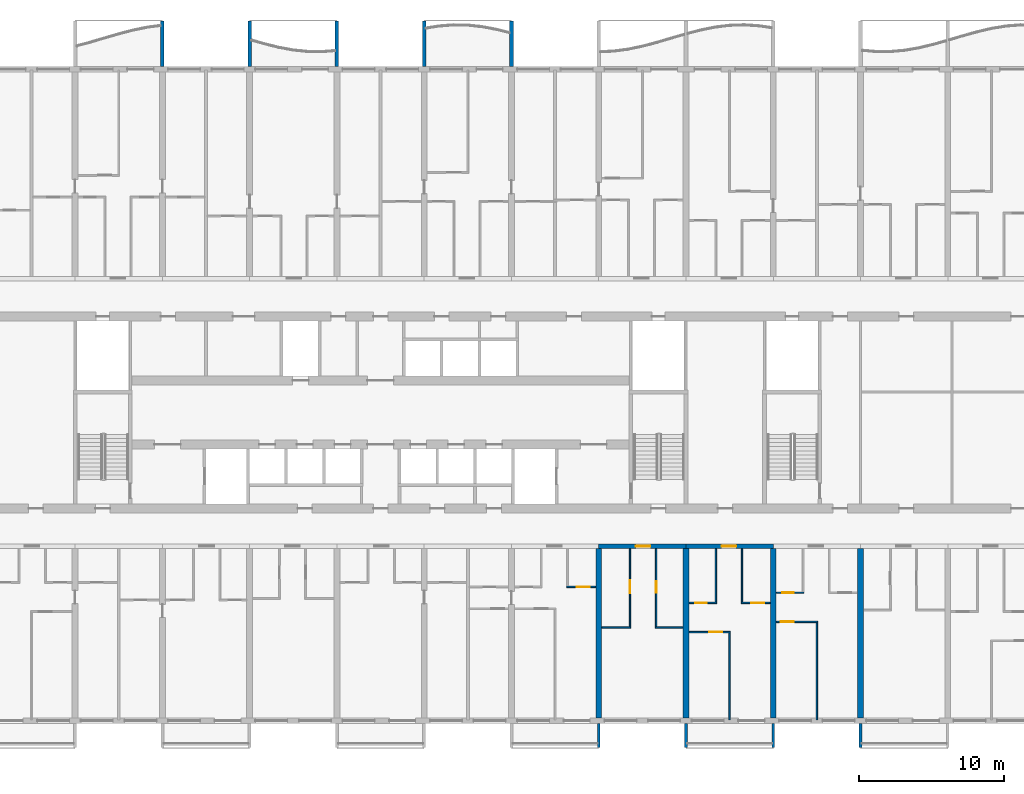
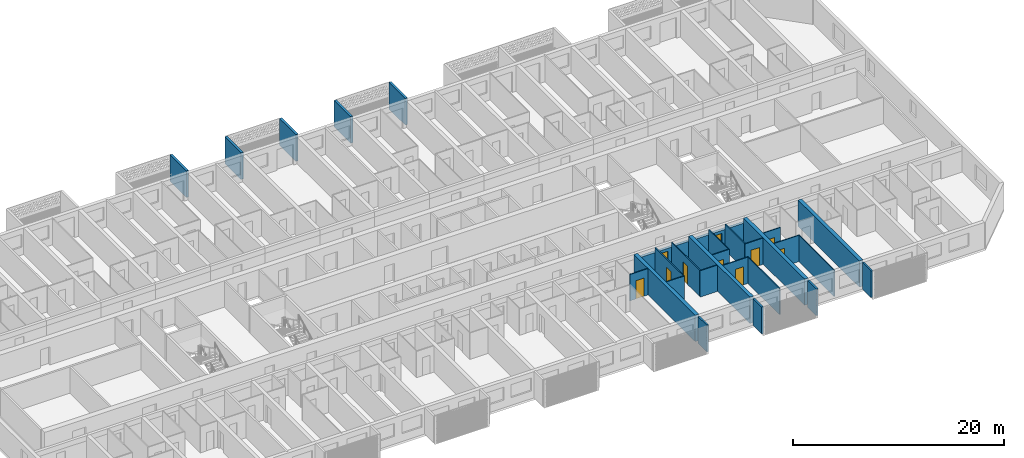
# One storey, part 14 of 38: 29 walls, 10 doors, 10 openings.
"""IFC4 building model written with IfcOpenShell, lengths in metres."""

from ifc_helpers import new_model, si_unit, direction, frame, frame_2d, origin, place, context, subcontext, project, spatial, polyline, rectangle, outline, extrude, source, transform, mapped, material, layer, layer_set, type_object, element, fill, save


model = new_model("IFC4")

# Units and contexts
model_context = context("Model", 3, precision=1e-05, world=origin(), true_north=direction((0.0, 1.0)))
body_context = subcontext(model_context, "Body", "Model", "MODEL_VIEW")
ifc_project = project(units=[si_unit("LENGTHUNIT", "METRE"), si_unit("AREAUNIT", "SQUARE_METRE"), si_unit("VOLUMEUNIT", "CUBIC_METRE"), si_unit("PLANEANGLEUNIT", "RADIAN"), si_unit("MASSUNIT", "GRAM", prefix="KILO")], contexts=[model_context])

# Site, building, storey
site_placement = place(None, origin())
site = spatial("IfcSite", under=ifc_project, at=site_placement, CompositionType="ELEMENT")
building_placement = place(site_placement, origin())
building = spatial("IfcBuilding", under=site, at=building_placement, Name="Poui Terraces", CompositionType="ELEMENT")
storey_placement = place(building_placement, frame((0.0, 0.0, 46.5)))
storey = spatial("IfcBuildingStorey", under=building, at=storey_placement, Name="L12", CompositionType="ELEMENT", Elevation=46.5)

# Wall, opening, door
ifc_material_1 = material(Name="Concrete 80 MPa", Category="concrete")
ifc_layer_1 = layer(ifc_material_1, 0.300048828125)
ifc_layer_set_1 = layer_set([ifc_layer_1], Name="Concrete 80 MPa")
wall_type_1 = type_object("IfcWallType", Name="CORRIDOR WALL 300 80MPa", PredefinedType="SHEAR", material=ifc_layer_set_1)
wall_1_placement = place(storey_placement, frame((66.0, 12.0, 0.0), z_axis=(0.0, 0.0, 1.0), x_axis=(1.0, 0.0, 0.0)))
wall_1 = element("IfcWall", 1, at=wall_1_placement, inside=storey, type_object=wall_type_1, Name="CORRIDOR WALL LINE B BAY 12", PredefinedType="SHEAR", context=body_context, shape_type="SweptSolid", body=[
    extrude(rectangle(XDim=6.0, YDim=0.300048828125, at=frame_2d((3.0, 0.0))), origin(), (0.0, 0.0, 1.0), 2.449951171875),
])
opening_1_placement = place(wall_1_placement, frame((2.550048828125, 0.0, 0.0)))
opening_1 = element("IfcOpeningElement", 2, at=opening_1_placement, cuts=wall_1, Name="Opening FD30S", PredefinedType="OPENING", context=body_context, shape_type="SweptSolid", body=[
    extrude(rectangle(XDim=1.0, YDim=2.10009765625, at=frame_2d((0.5, 1.050048828125))), frame((0.0, 0.16015625, 0.0), z_axis=(0.0, -1.0, 0.0), x_axis=(1.0, 0.0, 0.0)), (0.0, 0.0, 1.0), 0.320068359375),
])
ifc_material_2 = material(Name="Steel fire door", Category="steel")
door_type_1 = type_object("IfcDoorType", Name="FLAT ENTRANCE DOOR 1000 X 2100", OperationType="NOTDEFINED", PredefinedType="DOOR", material=ifc_material_2)
door_1_placement = place(opening_1_placement, frame((1.0, 0.0, 0.0), z_axis=(0.0, 0.0, 1.0), x_axis=(-1.0, 0.0, 0.0)))
door_1 = element("IfcDoor", 3, at=door_1_placement, inside=storey, type_object=door_type_1, Name="FLAT ENTRANCE DOOR 130", OperationType="SINGLE_SWING_LEFT", OverallHeight=2.10009765625, OverallWidth=1.0, PredefinedType="DOOR", context=body_context, shape_type="SweptSolid", body=[
    extrude(rectangle(XDim=1.0, YDim=2.10009765625, at=frame_2d((0.5, 1.050048828125))), frame((0.0, 0.02490234375, 0.0), z_axis=(0.0, -1.0, 0.0), x_axis=(1.0, 0.0, 0.0)), (0.0, 0.0, 1.0), 0.050048828125),
])
fill(opening_1, door_1)

wall_2_placement = place(storey_placement, frame((72.0, 12.0, 0.0), z_axis=(0.0, 0.0, 1.0), x_axis=(1.0, 0.0, 0.0)))
wall_2 = element("IfcWall", 4, at=wall_2_placement, inside=storey, type_object=wall_type_1, Name="CORRIDOR WALL LINE B BAY 13", PredefinedType="SHEAR", context=body_context, shape_type="SweptSolid", body=[
    extrude(rectangle(XDim=6.0, YDim=0.300048828125, at=frame_2d((3.0, 0.0))), origin(), (0.0, 0.0, 1.0), 2.449951171875),
])
opening_2_placement = place(wall_2_placement, frame((2.449951171875, 0.0, 0.0)))
opening_2 = element("IfcOpeningElement", 5, at=opening_2_placement, cuts=wall_2, Name="Opening FD30S", PredefinedType="OPENING", context=body_context, shape_type="SweptSolid", body=[
    extrude(rectangle(XDim=1.0, YDim=2.10009765625, at=frame_2d((0.5, 1.050048828125))), frame((0.0, 0.16015625, 0.0), z_axis=(0.0, -1.0, 0.0), x_axis=(1.0, 0.0, 0.0)), (0.0, 0.0, 1.0), 0.320068359375),
])
door_2_placement = place(opening_2_placement, frame((1.0, 0.0, 0.0), z_axis=(0.0, 0.0, 1.0), x_axis=(-1.0, 0.0, 0.0)))
door_2 = element("IfcDoor", 6, at=door_2_placement, inside=storey, type_object=door_type_1, Name="FLAT ENTRANCE DOOR 134", OperationType="SINGLE_SWING_RIGHT", OverallHeight=2.10009765625, OverallWidth=1.0, PredefinedType="DOOR", context=body_context, shape_type="SweptSolid", body=[
    extrude(rectangle(XDim=1.0, YDim=2.10009765625, at=frame_2d((0.5, 1.050048828125))), frame((0.0, 0.02490234375, 0.0), z_axis=(0.0, -1.0, 0.0), x_axis=(1.0, 0.0, 0.0)), (0.0, 0.0, 1.0), 0.050048828125),
])
fill(opening_2, door_2)

# Walls
ifc_layer_2 = layer(ifc_material_1, 0.39990234375)
ifc_layer_set_2 = layer_set([ifc_layer_2], Name="Concrete 80 MPa")
wall_type_2 = type_object("IfcWallType", Name="CROSS WALL 400 80MPa", PredefinedType="SHEAR", material=ifc_layer_set_2)
for number, where, z_axis, x_axis, name in (
    (7, (66.0, 0.199951171875, 0.0), (0.0, 0.0, 1.0), (0.0, 1.0, 0.0), "CROSS WALL LINE 12 SOUTH"),
    (8, (72.0, 0.199951171875, 0.0), (0.0, 0.0, 1.0), (0.0, 1.0, 0.0), "CROSS WALL LINE 13 SOUTH"),
    (9, (78.0, 0.199951171875, 0.0), (0.0, 0.0, 1.0), (0.0, 1.0, 0.0), "CROSS WALL LINE 14 SOUTH"),
    (10, (84.0, 0.199951171875, 0.0), (0.0, 0.0, 1.0), (0.0, 1.0, 0.0), "CROSS WALL LINE 15 SOUTH"),
):
    element("IfcWall", number, at=place(storey_placement, frame(where, z_axis=z_axis, x_axis=x_axis)), inside=storey, type_object=wall_type_2, Name=name, PredefinedType="SHEAR", context=body_context, shape_type="SweptSolid", body=[
        extrude(rectangle(XDim=11.650146484375, YDim=0.39990234375, at=frame_2d((5.8251953125, 0.0))), origin(), (0.0, 0.0, 1.0), 3.050048828125),
    ])

# Wall, opening, door
ifc_material_3 = material(Name="Plasterboard partition")
ifc_layer_3 = layer(ifc_material_3, 0.10009765625)
ifc_layer_set_3 = layer_set([ifc_layer_3], Name="Plasterboard partition")
wall_type_3 = type_object("IfcWallType", Name="FLAT PARTITION 100", PredefinedType="PARTITIONING", material=ifc_layer_set_3)
wall_3_placement = place(storey_placement, frame((72.2099609375, 6.10009765625, 0.0), z_axis=(0.0, 0.0, 1.0), x_axis=(1.0, 0.0, 0.0)))
wall_3 = element("IfcWall", 11, at=wall_3_placement, inside=storey, type_object=wall_type_3, Name="FLAT PARTITION 100", PredefinedType="PARTITIONING", context=body_context, shape_type="SweptSolid", body=[
    extrude(rectangle(XDim=2.840087890625, YDim=0.10009765625, at=frame_2d((1.419921875, 0.0))), origin(), (0.0, 0.0, 1.0), 3.050048828125),
])
opening_3_placement = place(wall_3_placement, frame((1.389892578125, 0.0, 0.0)))
opening_3 = element("IfcOpeningElement", 12, at=opening_3_placement, cuts=wall_3, Name="Opening D90", PredefinedType="OPENING", context=body_context, shape_type="SweptSolid", body=[
    extrude(rectangle(XDim=0.89990234375, YDim=2.10009765625, at=frame_2d((0.449951171875, 1.050048828125))), frame((0.0, 0.06005859375, 0.0), z_axis=(0.0, -1.0, 0.0), x_axis=(1.0, 0.0, 0.0)), (0.0, 0.0, 1.0), 0.1201171875),
])
ifc_material_4 = material(Name="Solid core timber door", Category="wood")
door_type_2 = type_object("IfcDoorType", Name="INTERNAL DOOR 900 X 2100", OperationType="NOTDEFINED", PredefinedType="DOOR", material=ifc_material_4)
door_3_placement = place(opening_3_placement, origin())
door_3 = element("IfcDoor", 13, at=door_3_placement, inside=storey, type_object=door_type_2, Name="INTERNAL DOOR 133", OperationType="SINGLE_SWING_LEFT", OverallHeight=2.10009765625, OverallWidth=0.89990234375, PredefinedType="DOOR", context=body_context, shape_type="SweptSolid", body=[
    extrude(rectangle(XDim=0.89990234375, YDim=2.10009765625, at=frame_2d((0.449951171875, 1.050048828125))), frame((0.0, 0.02490234375, 0.0), z_axis=(0.0, -1.0, 0.0), x_axis=(1.0, 0.0, 0.0)), (0.0, 0.0, 1.0), 0.050048828125),
])
fill(opening_3, door_3)

# Walls
wall_4_placement = place(storey_placement, frame((66.2099609375, 6.39990234375, 0.0), z_axis=(0.0, 0.0, 1.0), x_axis=(1.0, 0.0, 0.0)))
element("IfcWall", 14, at=wall_4_placement, inside=storey, type_object=wall_type_3, Name="FLAT PARTITION 100", PredefinedType="PARTITIONING", context=body_context, shape_type="SweptSolid", body=[
    extrude(rectangle(XDim=1.989990234375, YDim=0.10009765625, at=frame_2d((0.9951171875, 0.0))), origin(), (0.0, 0.0, 1.0), 3.050048828125),
])
wall_5_placement = place(storey_placement, frame((69.89990234375, 6.39990234375, 0.0), z_axis=(0.0, 0.0, 1.0), x_axis=(1.0, 0.0, 0.0)))
element("IfcWall", 15, at=wall_5_placement, inside=storey, type_object=wall_type_3, Name="FLAT PARTITION 100", PredefinedType="PARTITIONING", context=body_context, shape_type="SweptSolid", body=[
    extrude(rectangle(XDim=1.89013671875, YDim=0.10009765625, at=frame_2d((0.945068359375, 0.0))), origin(), (0.0, 0.0, 1.0), 3.050048828125),
])

# Wall, opening, door
wall_6_placement = place(storey_placement, frame((78.2099609375, 6.800048828125, 0.0), z_axis=(0.0, 0.0, 1.0), x_axis=(1.0, 0.0, 0.0)))
wall_6 = element("IfcWall", 16, at=wall_6_placement, inside=storey, type_object=wall_type_3, Name="FLAT PARTITION 100", PredefinedType="PARTITIONING", context=body_context, shape_type="SweptSolid", body=[
    extrude(rectangle(XDim=2.840087890625, YDim=0.10009765625, at=frame_2d((1.419921875, 0.0))), origin(), (0.0, 0.0, 1.0), 3.050048828125),
])
opening_4_placement = place(wall_6_placement, frame((0.2900390625, 0.0, 0.0)))
opening_4 = element("IfcOpeningElement", 17, at=opening_4_placement, cuts=wall_6, Name="Opening D90", PredefinedType="OPENING", context=body_context, shape_type="SweptSolid", body=[
    extrude(rectangle(XDim=0.89990234375, YDim=2.10009765625, at=frame_2d((0.449951171875, 1.050048828125))), frame((0.0, 0.06005859375, 0.0), z_axis=(0.0, -1.0, 0.0), x_axis=(1.0, 0.0, 0.0)), (0.0, 0.0, 1.0), 0.1201171875),
])
door_4_placement = place(opening_4_placement, origin())
door_4 = element("IfcDoor", 18, at=door_4_placement, inside=storey, type_object=door_type_2, Name="INTERNAL DOOR 136", OperationType="SINGLE_SWING_RIGHT", OverallHeight=2.10009765625, OverallWidth=0.89990234375, PredefinedType="DOOR", context=body_context, shape_type="SweptSolid", body=[
    extrude(rectangle(XDim=0.89990234375, YDim=2.10009765625, at=frame_2d((0.449951171875, 1.050048828125))), frame((0.0, 0.02490234375, 0.0), z_axis=(0.0, -1.0, 0.0), x_axis=(1.0, 0.0, 0.0)), (0.0, 0.0, 1.0), 0.050048828125),
])
fill(opening_4, door_4)

wall_7_placement = place(storey_placement, frame((72.2099609375, 8.10009765625, 0.0), z_axis=(0.0, 0.0, 1.0), x_axis=(1.0, 0.0, 0.0)))
wall_7 = element("IfcWall", 19, at=wall_7_placement, inside=storey, type_object=wall_type_3, Name="FLAT PARTITION 100", PredefinedType="PARTITIONING", context=body_context, shape_type="SweptSolid", body=[
    extrude(rectangle(XDim=1.89013671875, YDim=0.10009765625, at=frame_2d((0.945068359375, 0.0))), origin(), (0.0, 0.0, 1.0), 3.050048828125),
])
opening_5_placement = place(wall_7_placement, frame((0.4150390625, 0.0, 0.0)))
opening_5 = element("IfcOpeningElement", 20, at=opening_5_placement, cuts=wall_7, Name="Opening D80", PredefinedType="OPENING", context=body_context, shape_type="SweptSolid", body=[
    extrude(rectangle(XDim=0.800048828125, YDim=2.10009765625, at=frame_2d((0.39990234375, 1.050048828125))), frame((0.0, 0.06005859375, 0.0), z_axis=(0.0, -1.0, 0.0), x_axis=(1.0, 0.0, 0.0)), (0.0, 0.0, 1.0), 0.1201171875),
])
door_type_3 = type_object("IfcDoorType", Name="BATHROOM, LAUNDRY AND STORE DOOR 800 X 2100", OperationType="NOTDEFINED", PredefinedType="DOOR", material=ifc_material_4)
door_5_placement = place(opening_5_placement, origin())
door_5 = element("IfcDoor", 21, at=door_5_placement, inside=storey, type_object=door_type_3, Name="BATHROOM, LAUNDRY AND STORE DOOR 132", OperationType="SINGLE_SWING_RIGHT", OverallHeight=2.10009765625, OverallWidth=0.800048828125, PredefinedType="DOOR", context=body_context, shape_type="SweptSolid", body=[
    extrude(rectangle(XDim=0.800048828125, YDim=2.10009765625, at=frame_2d((0.39990234375, 1.050048828125))), frame((0.0, 0.02490234375, 0.0), z_axis=(0.0, -1.0, 0.0), x_axis=(1.0, 0.0, 0.0)), (0.0, 0.0, 1.0), 0.050048828125),
])
fill(opening_5, door_5)

wall_8_placement = place(storey_placement, frame((75.800048828125, 8.10009765625, 0.0), z_axis=(0.0, 0.0, 1.0), x_axis=(1.0, 0.0, 0.0)))
wall_8 = element("IfcWall", 22, at=wall_8_placement, inside=storey, type_object=wall_type_3, Name="FLAT PARTITION 100", PredefinedType="PARTITIONING", context=body_context, shape_type="SweptSolid", body=[
    extrude(rectangle(XDim=1.989990234375, YDim=0.10009765625, at=frame_2d((0.9951171875, 0.0))), origin(), (0.0, 0.0, 1.0), 3.050048828125),
])
opening_6_placement = place(wall_8_placement, frame((0.675048828125, 0.0, 0.0)))
opening_6 = element("IfcOpeningElement", 23, at=opening_6_placement, cuts=wall_8, Name="Opening D90", PredefinedType="OPENING", context=body_context, shape_type="SweptSolid", body=[
    extrude(rectangle(XDim=0.89990234375, YDim=2.10009765625, at=frame_2d((0.449951171875, 1.050048828125))), frame((0.0, 0.06005859375, 0.0), z_axis=(0.0, -1.0, 0.0), x_axis=(1.0, 0.0, 0.0)), (0.0, 0.0, 1.0), 0.1201171875),
])
door_6_placement = place(opening_6_placement, origin())
door_6 = element("IfcDoor", 24, at=door_6_placement, inside=storey, type_object=door_type_2, Name="INTERNAL DOOR 135", OperationType="SINGLE_SWING_LEFT", OverallHeight=2.10009765625, OverallWidth=0.89990234375, PredefinedType="DOOR", context=body_context, shape_type="SweptSolid", body=[
    extrude(rectangle(XDim=0.89990234375, YDim=2.10009765625, at=frame_2d((0.449951171875, 1.050048828125))), frame((0.0, 0.02490234375, 0.0), z_axis=(0.0, -1.0, 0.0), x_axis=(1.0, 0.0, 0.0)), (0.0, 0.0, 1.0), 0.050048828125),
])
fill(opening_6, door_6)

wall_9_placement = place(storey_placement, frame((78.2099609375, 8.800048828125, 0.0), z_axis=(0.0, 0.0, 1.0), x_axis=(1.0, 0.0, 0.0)))
wall_9 = element("IfcWall", 25, at=wall_9_placement, inside=storey, type_object=wall_type_3, Name="FLAT PARTITION 100", PredefinedType="PARTITIONING", context=body_context, shape_type="SweptSolid", body=[
    extrude(rectangle(XDim=1.89013671875, YDim=0.10009765625, at=frame_2d((0.945068359375, 0.0))), origin(), (0.0, 0.0, 1.0), 3.050048828125),
])
opening_7_placement = place(wall_9_placement, frame((0.4150390625, 0.0, 0.0)))
opening_7 = element("IfcOpeningElement", 26, at=opening_7_placement, cuts=wall_9, Name="Opening D80", PredefinedType="OPENING", context=body_context, shape_type="SweptSolid", body=[
    extrude(rectangle(XDim=0.800048828125, YDim=2.10009765625, at=frame_2d((0.39990234375, 1.050048828125))), frame((0.0, 0.06005859375, 0.0), z_axis=(0.0, -1.0, 0.0), x_axis=(1.0, 0.0, 0.0)), (0.0, 0.0, 1.0), 0.1201171875),
])
door_7_placement = place(opening_7_placement, origin())
door_7 = element("IfcDoor", 27, at=door_7_placement, inside=storey, type_object=door_type_3, Name="BATHROOM, LAUNDRY AND STORE DOOR 137", OperationType="SINGLE_SWING_LEFT", OverallHeight=2.10009765625, OverallWidth=0.800048828125, PredefinedType="DOOR", context=body_context, shape_type="SweptSolid", body=[
    extrude(rectangle(XDim=0.800048828125, YDim=2.10009765625, at=frame_2d((0.39990234375, 1.050048828125))), frame((0.0, 0.02490234375, 0.0), z_axis=(0.0, -1.0, 0.0), x_axis=(1.0, 0.0, 0.0)), (0.0, 0.0, 1.0), 0.050048828125),
])
fill(opening_7, door_7)

wall_10_placement = place(storey_placement, frame((63.800048828125, 9.199951171875, 0.0), z_axis=(0.0, 0.0, 1.0), x_axis=(1.0, 0.0, 0.0)))
wall_10 = element("IfcWall", 28, at=wall_10_placement, inside=storey, type_object=wall_type_3, Name="FLAT PARTITION 100", PredefinedType="PARTITIONING", context=body_context, shape_type="SweptSolid", body=[
    extrude(rectangle(XDim=1.989990234375, YDim=0.10009765625, at=frame_2d((0.9951171875, 0.0))), origin(), (0.0, 0.0, 1.0), 3.050048828125),
])
opening_8_placement = place(wall_10_placement, frame((0.675048828125, 0.0, 0.0)))
opening_8 = element("IfcOpeningElement", 29, at=opening_8_placement, cuts=wall_10, Name="Opening D90", PredefinedType="OPENING", context=body_context, shape_type="SweptSolid", body=[
    extrude(rectangle(XDim=0.89990234375, YDim=2.10009765625, at=frame_2d((0.449951171875, 1.050048828125))), frame((0.0, 0.06005859375, 0.0), z_axis=(0.0, -1.0, 0.0), x_axis=(1.0, 0.0, 0.0)), (0.0, 0.0, 1.0), 0.1201171875),
])
door_8_placement = place(opening_8_placement, origin())
door_8 = element("IfcDoor", 30, at=door_8_placement, inside=storey, type_object=door_type_2, Name="INTERNAL DOOR 128", OperationType="SINGLE_SWING_LEFT", OverallHeight=2.10009765625, OverallWidth=0.89990234375, PredefinedType="DOOR", context=body_context, shape_type="SweptSolid", body=[
    extrude(rectangle(XDim=0.89990234375, YDim=2.10009765625, at=frame_2d((0.449951171875, 1.050048828125))), frame((0.0, 0.02490234375, 0.0), z_axis=(0.0, -1.0, 0.0), x_axis=(1.0, 0.0, 0.0)), (0.0, 0.0, 1.0), 0.050048828125),
])
fill(opening_8, door_8)

wall_11_placement = place(storey_placement, frame((68.14990234375, 6.449951171875, 0.0), z_axis=(0.0, 0.0, 1.0), x_axis=(0.0, 1.0, 0.0)))
wall_11 = element("IfcWall", 31, at=wall_11_placement, inside=storey, type_object=wall_type_3, Name="FLAT PARTITION 100", PredefinedType="PARTITIONING", context=body_context, shape_type="SweptSolid", body=[
    extrude(rectangle(XDim=5.39013671875, YDim=0.10009765625, at=frame_2d((2.695068359375, 0.0))), origin(), (0.0, 0.0, 1.0), 3.050048828125),
])
opening_9_placement = place(wall_11_placement, frame((2.300048828125, 0.0, 0.0)))
opening_9 = element("IfcOpeningElement", 32, at=opening_9_placement, cuts=wall_11, Name="Opening D90", PredefinedType="OPENING", context=body_context, shape_type="SweptSolid", body=[
    extrude(rectangle(XDim=0.89990234375, YDim=2.10009765625, at=frame_2d((0.449951171875, 1.050048828125))), frame((0.0, 0.06005859375, 0.0), z_axis=(0.0, -1.0, 0.0), x_axis=(1.0, 0.0, 0.0)), (0.0, 0.0, 1.0), 0.1201171875),
])
door_9_placement = place(opening_9_placement, origin())
door_9 = element("IfcDoor", 33, at=door_9_placement, inside=storey, type_object=door_type_2, Name="INTERNAL DOOR 129", OperationType="SINGLE_SWING_RIGHT", OverallHeight=2.10009765625, OverallWidth=0.89990234375, PredefinedType="DOOR", context=body_context, shape_type="SweptSolid", body=[
    extrude(rectangle(XDim=0.89990234375, YDim=2.10009765625, at=frame_2d((0.449951171875, 1.050048828125))), frame((0.0, 0.02490234375, 0.0), z_axis=(0.0, -1.0, 0.0), x_axis=(1.0, 0.0, 0.0)), (0.0, 0.0, 1.0), 0.050048828125),
])
fill(opening_9, door_9)

wall_12_placement = place(storey_placement, frame((69.949951171875, 6.449951171875, 0.0), z_axis=(0.0, 0.0, 1.0), x_axis=(0.0, 1.0, 0.0)))
wall_12 = element("IfcWall", 34, at=wall_12_placement, inside=storey, type_object=wall_type_3, Name="FLAT PARTITION 100", PredefinedType="PARTITIONING", context=body_context, shape_type="SweptSolid", body=[
    extrude(rectangle(XDim=5.39013671875, YDim=0.10009765625, at=frame_2d((2.695068359375, 0.0))), origin(), (0.0, 0.0, 1.0), 3.050048828125),
])
opening_10_placement = place(wall_12_placement, frame((2.35009765625, 0.0, 0.0)))
opening_10 = element("IfcOpeningElement", 35, at=opening_10_placement, cuts=wall_12, Name="Opening D80", PredefinedType="OPENING", context=body_context, shape_type="SweptSolid", body=[
    extrude(rectangle(XDim=0.800048828125, YDim=2.10009765625, at=frame_2d((0.39990234375, 1.050048828125))), frame((0.0, 0.06005859375, 0.0), z_axis=(0.0, -1.0, 0.0), x_axis=(1.0, 0.0, 0.0)), (0.0, 0.0, 1.0), 0.1201171875),
])
door_10_placement = place(opening_10_placement, frame((0.800048828125, 0.0, 0.0), z_axis=(0.0, 0.0, 1.0), x_axis=(-1.0, 0.0, 0.0)))
door_10 = element("IfcDoor", 36, at=door_10_placement, inside=storey, type_object=door_type_3, Name="BATHROOM, LAUNDRY AND STORE DOOR 131", OperationType="SINGLE_SWING_RIGHT", OverallHeight=2.10009765625, OverallWidth=0.800048828125, PredefinedType="DOOR", context=body_context, shape_type="SweptSolid", body=[
    extrude(rectangle(XDim=0.800048828125, YDim=2.10009765625, at=frame_2d((0.39990234375, 1.050048828125))), frame((0.0, 0.02490234375, 0.0), z_axis=(0.0, -1.0, 0.0), x_axis=(1.0, 0.0, 0.0)), (0.0, 0.0, 1.0), 0.050048828125),
])
fill(opening_10, door_10)

# Walls
wall_13_placement = place(storey_placement, frame((74.050048828125, 8.14990234375, 0.0), z_axis=(0.0, 0.0, 1.0), x_axis=(0.0, 1.0, 0.0)))
element("IfcWall", 37, at=wall_13_placement, inside=storey, type_object=wall_type_3, Name="FLAT PARTITION 100", PredefinedType="PARTITIONING", context=body_context, shape_type="SweptSolid", body=[
    extrude(rectangle(XDim=3.690185546875, YDim=0.10009765625, at=frame_2d((1.84521484375, 0.0))), origin(), (0.0, 0.0, 1.0), 3.050048828125),
])
wall_14_placement = place(storey_placement, frame((75.0, 0.06005859375, 0.0), z_axis=(0.0, 0.0, 1.0), x_axis=(0.0, 1.0, 0.0)))
element("IfcWall", 38, at=wall_14_placement, inside=storey, type_object=wall_type_3, Name="FLAT PARTITION 100", PredefinedType="PARTITIONING", context=body_context, shape_type="SweptSolid", body=[
    extrude(rectangle(XDim=5.989990234375, YDim=0.10009765625, at=frame_2d((2.9951171875, 0.0))), origin(), (0.0, 0.0, 1.0), 3.050048828125),
])
wall_15_placement = place(storey_placement, frame((75.85009765625, 8.14990234375, 0.0), z_axis=(0.0, 0.0, 1.0), x_axis=(0.0, 1.0, 0.0)))
element("IfcWall", 39, at=wall_15_placement, inside=storey, type_object=wall_type_3, Name="FLAT PARTITION 100", PredefinedType="PARTITIONING", context=body_context, shape_type="SweptSolid", body=[
    extrude(rectangle(XDim=3.690185546875, YDim=0.10009765625, at=frame_2d((1.84521484375, 0.0))), origin(), (0.0, 0.0, 1.0), 3.050048828125),
])
wall_16_placement = place(storey_placement, frame((81.0, 0.06005859375, 0.0), z_axis=(0.0, 0.0, 1.0), x_axis=(0.0, 1.0, 0.0)))
element("IfcWall", 40, at=wall_16_placement, inside=storey, type_object=wall_type_3, Name="FLAT PARTITION 100", PredefinedType="PARTITIONING", context=body_context, shape_type="SweptSolid", body=[
    extrude(rectangle(XDim=6.68994140625, YDim=0.10009765625, at=frame_2d((3.344970703125, 0.0))), origin(), (0.0, 0.0, 1.0), 3.050048828125),
])
ifc_material_5 = material(Name="Precast concrete 40 MPa", Category="concrete")
ifc_layer_4 = layer(ifc_material_5, 0.199951171875)
ifc_layer_set_4 = layer_set([ifc_layer_4], Name="Precast concrete 40 MPa")
wall_type_4 = type_object("IfcWallType", Name="REAR FIN 200", PredefinedType="STANDARD", material=ifc_layer_set_4)
shared_shape_1 = source(origin(), body_context, "Body", "SweptSolid", [
    extrude(outline(polyline([(0.0, 0.0), (0.2001953125, 0.0), (0.2001953125, 1.650146484375), (0.0, 1.650146484375), (0.0, 0.0)])), origin(), (0.0, 0.0, 1.0), 3.10009765625),
])
for number, where, name in (
    (41, (65.89990234375, -1.85009765625, 0.0), "REAR FIN"),
    (42, (71.89990234375, -1.85009765625, 0.0), "REAR FIN"),
    (43, (77.89990234375, -1.85009765625, 0.0), "REAR FIN"),
    (44, (83.89990234375, -1.85009765625, 0.0), "REAR FIN"),
):
    element("IfcWall", number, at=place(storey_placement, frame(where)), inside=storey, type_object=wall_type_4, Name=name, PredefinedType="STANDARD", context=body_context, shape_type="MappedRepresentation", body=[
        mapped(shared_shape_1, transform((0.0, 0.0, 0.0))),
    ])
ifc_layer_5 = layer(ifc_material_5, 0.25)
ifc_layer_set_5 = layer_set([ifc_layer_5], Name="Precast concrete 40 MPa")
wall_type_5 = type_object("IfcWallType", Name="BALCONY FIN 250", PredefinedType="STANDARD", material=ifc_layer_set_5)
shared_shape_2 = source(origin(), body_context, "Body", "SweptSolid", [
    extrude(outline(polyline([(0.0, 0.0), (0.25, 0.0), (0.25, 3.10009765625), (0.0, 3.10009765625), (0.0, 0.0)])), origin(), (0.0, 0.0, 1.0), 3.10009765625),
])
for number, where, name in (
    (45, (35.875, 45.0, 0.0), "BALCONY FIN"),
    (46, (41.875, 45.0, 0.0), "BALCONY FIN"),
    (47, (47.875, 45.0, 0.0), "BALCONY FIN"),
    (48, (53.875, 45.0, 0.0), "BALCONY FIN"),
    (49, (59.875, 45.0, 0.0), "BALCONY FIN"),
):
    element("IfcWall", number, at=place(storey_placement, frame(where)), inside=storey, type_object=wall_type_5, Name=name, PredefinedType="STANDARD", context=body_context, shape_type="MappedRepresentation", body=[
        mapped(shared_shape_2, transform((0.0, 0.0, 0.0))),
    ])

save(model, "model.ifc")
